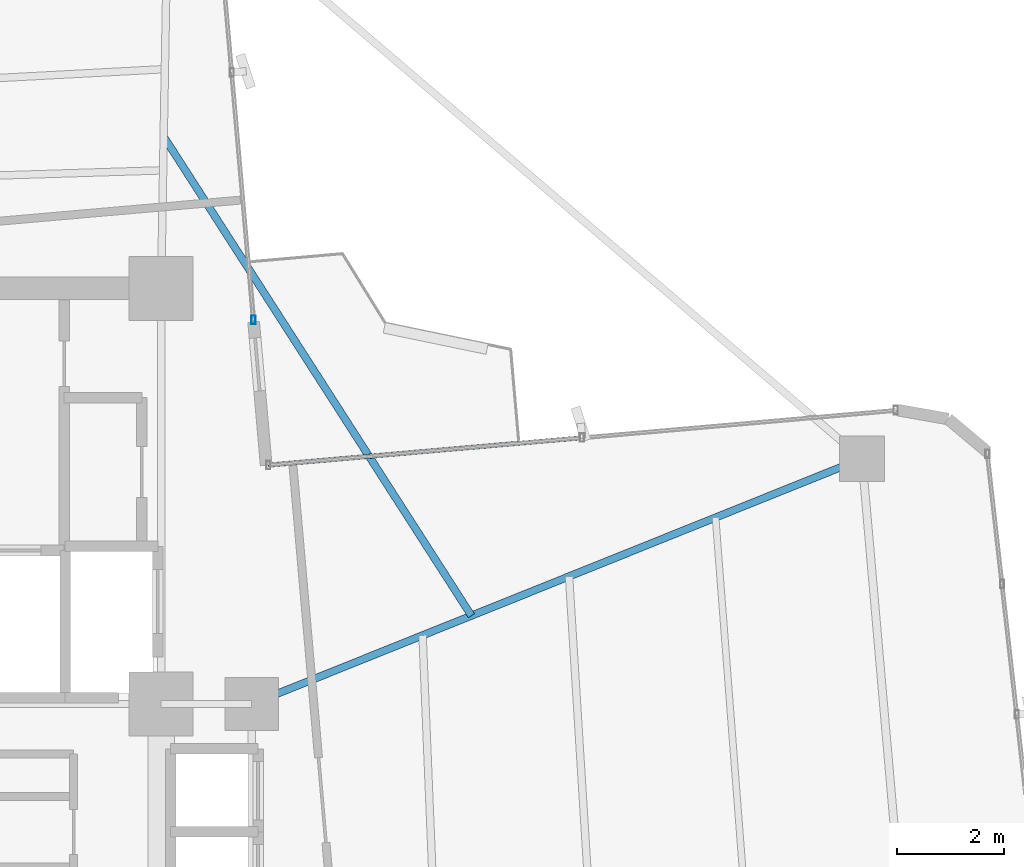
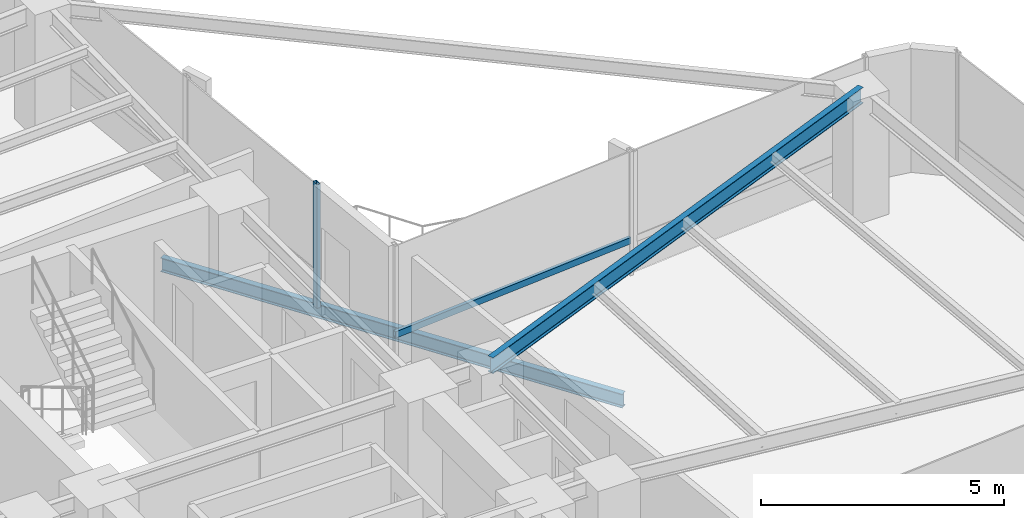
# One storey, part 12 of 24: 2 beams, 2 members, 2 elements without a shape of their own.
"""IFC4 building model written with IfcOpenShell, lengths in metres."""

from ifc_helpers import new_model, si_unit, direction, frame, origin, origin_2d, place, context, subcontext, project, spatial, hollow_rectangle, i_section, extrude, source, transform, mapped, material, material_profile, profile_set, type_object, element, aggregate, save


model = new_model("IFC4")

# Units and contexts
model_context = context("Model", 3, precision=1e-05, world=origin(), true_north=direction((0.0, 1.0)))
body_context = subcontext(model_context, "Body", "Model", "MODEL_VIEW")
ifc_project = project(units=[si_unit("LENGTHUNIT", "METRE"), si_unit("AREAUNIT", "SQUARE_METRE"), si_unit("VOLUMEUNIT", "CUBIC_METRE"), si_unit("PLANEANGLEUNIT", "RADIAN"), si_unit("MASSUNIT", "GRAM", prefix="KILO")], contexts=[model_context])

# Site, building, storey
site_placement = place(None, origin())
site = spatial("IfcSite", under=ifc_project, at=site_placement, CompositionType="ELEMENT")
building_placement = place(site_placement, origin())
building = spatial("IfcBuilding", under=site, at=building_placement, Name="Sahyath Konkavel Grand Hotel", CompositionType="ELEMENT")
storey_placement = place(building_placement, frame((0.0, 0.0, 185.25)))
storey = spatial("IfcBuildingStorey", under=building, at=storey_placement, Name="L51", CompositionType="ELEMENT", Elevation=185.25)

# Beam
ifc_material_1 = material(Name="Steel E350", Category="steel")
ifc_material_profile_1 = material_profile(ifc_material_1, i_section(OverallWidth=0.139892578125, OverallDepth=0.39990234375, WebThickness=0.0087890625, FlangeThickness=0.01611328125, FilletRadius=0.013916015625, at=origin_2d()), Name="ISMB 400")
ifc_profile_set_1 = profile_set([ifc_material_profile_1], Name="Steel E350")
beam_type_1 = type_object("IfcBeamType", Name="BM-ISMB400", PredefinedType="BEAM", material=ifc_profile_set_1)
shared_shape_1 = source(origin(), body_context, "Body", "SweptSolid", [
    extrude(i_section(OverallWidth=0.139892578125, OverallDepth=0.39990234375, WebThickness=0.0087890625, FlangeThickness=0.01611328125, FilletRadius=0.013916015625, at=origin_2d()), origin(), (0.0, 0.0, 1.0), 12.344970703125),
])
beam_1_placement = place(storey_placement, frame((5.5, 2.39990234375, 2.909912109375), z_axis=(0.927837014101, 0.372985891507, 0.0), x_axis=(-0.372985891507, 0.927837014101, 0.0)))
element("IfcBeam", 1, at=beam_1_placement, inside=storey, type_object=beam_type_1, Name="L51 Cruciform Radial Girder EB", PredefinedType="BEAM", context=body_context, shape_type="MappedRepresentation", body=[
    mapped(shared_shape_1, transform((0.0, 0.0, 0.0), scale=1.0)),
])

# Curtain wall, member
ifc_material_2 = material(Name="Anodised Bronze Aluminium & Low-E Glazing", Category="aluminium")
curtain_wall_type = type_object("IfcCurtainWallType", Name="CW-ZONE3", PredefinedType="NOTDEFINED", material=ifc_material_2)
curtain_wall_1_placement = place(storey_placement, origin())
curtain_wall_1 = element("IfcCurtainWall", 2, at=curtain_wall_1_placement, inside=storey, type_object=curtain_wall_type, Name="L51 Unitised Curtain Wall F8", PredefinedType="NOTDEFINED")
ifc_material_3 = material(Name="Anodised Bronze Aluminium", Category="aluminium")
ifc_material_profile_2 = material_profile(ifc_material_3, hollow_rectangle(XDim=0.080078125, YDim=0.159912109375, WallThickness=0.006103515625, at=origin_2d()), Name="RHS 160x80x6")
ifc_profile_set_2 = profile_set([ifc_material_profile_2], Name="Anodised Bronze Aluminium")
member_type_1 = type_object("IfcMemberType", Name="CW-MUL-160", PredefinedType="MULLION", material=ifc_profile_set_2)
shared_shape_2 = source(origin(), body_context, "Body", "SweptSolid", [
    extrude(hollow_rectangle(XDim=0.080078125, YDim=0.159912109375, WallThickness=0.006103515625, at=origin_2d()), origin(), (0.0, 0.0, 1.0), 3.110107421875),
])
member_1_placement = place(storey_placement, frame((5.53369140625, 9.60888671875, 0.0), z_axis=(0.0, 0.0, 1.0), x_axis=(1.0, 0.0, 0.0)))
member_1 = element("IfcMember", 3, at=member_1_placement, type_object=member_type_1, Name="L51 Curtain Wall Mullion F8-0", PredefinedType="MULLION", context=body_context, shape_type="MappedRepresentation", body=[
    mapped(shared_shape_2, transform((0.0, 0.0, 0.0), scale=1.0)),
])
aggregate(curtain_wall_1, [member_1])

curtain_wall_2_placement = place(storey_placement, origin())
curtain_wall_2 = element("IfcCurtainWall", 4, at=curtain_wall_2_placement, inside=storey, type_object=curtain_wall_type, Name="L51 Unitised Curtain Wall F7", PredefinedType="NOTDEFINED")
ifc_material_profile_3 = material_profile(ifc_material_3, hollow_rectangle(XDim=0.080078125, YDim=0.159912109375, WallThickness=0.006103515625, at=origin_2d()), Name="RHS 160x80x6")
ifc_profile_set_3 = profile_set([ifc_material_profile_3], Name="Anodised Bronze Aluminium")
member_type_2 = type_object("IfcMemberType", Name="CW-TRN-160", PredefinedType="USERDEFINED", material=ifc_profile_set_3)
shared_shape_3 = source(origin(), body_context, "Body", "SweptSolid", [
    extrude(hollow_rectangle(XDim=0.080078125, YDim=0.159912109375, WallThickness=0.006103515625, at=origin_2d()), origin(), (0.0, 0.0, 1.0), 5.909912109375),
])
member_2_placement = place(storey_placement, frame((11.69970703125, 7.39794921875, 0.85009765625), z_axis=(-0.996193941691, -0.087164388014, 0.0), x_axis=(0.087164388014, -0.996193941691, 0.0)))
member_2 = element("IfcMember", 5, at=member_2_placement, type_object=member_type_2, Name="L51 Curtain Wall Transom F7-1-spandrel", ObjectType="TRANSOM", PredefinedType="USERDEFINED", context=body_context, shape_type="MappedRepresentation", body=[
    mapped(shared_shape_3, transform((0.0, 0.0, 0.0), scale=1.0)),
])
aggregate(curtain_wall_2, [member_2])

# Beam
ifc_material_profile_4 = material_profile(ifc_material_1, i_section(OverallWidth=0.139892578125, OverallDepth=0.35009765625, WebThickness=0.008056640625, FlangeThickness=0.01416015625, FilletRadius=0.013916015625, at=origin_2d()), Name="ISMB 350")
ifc_profile_set_4 = profile_set([ifc_material_profile_4], Name="Steel E350")
beam_type_2 = type_object("IfcBeamType", Name="BM-BALC-CANT", PredefinedType="BEAM", material=ifc_profile_set_4)
shared_shape_4 = source(origin(), body_context, "Body", "SweptSolid", [
    extrude(i_section(OverallWidth=0.139892578125, OverallDepth=0.35009765625, WebThickness=0.008056640625, FlangeThickness=0.01416015625, FilletRadius=0.013916015625, at=origin_2d()), origin(), (0.0, 0.0, 1.0), 10.685302734375),
])
beam_2_placement = place(storey_placement, frame((9.62353515625, 4.0576171875, -0.4150390625), z_axis=(-0.540404181048, 0.841405562797, 0.0), x_axis=(-0.841405562797, -0.540404181048, 0.0)))
element("IfcBeam", 6, at=beam_2_placement, inside=storey, type_object=beam_type_2, Name="L51 Balcony Cantilever Support Beam NE", PredefinedType="BEAM", context=body_context, shape_type="MappedRepresentation", body=[
    mapped(shared_shape_4, transform((0.0, 0.0, 0.0), scale=1.0)),
])

save(model, "model.ifc")
